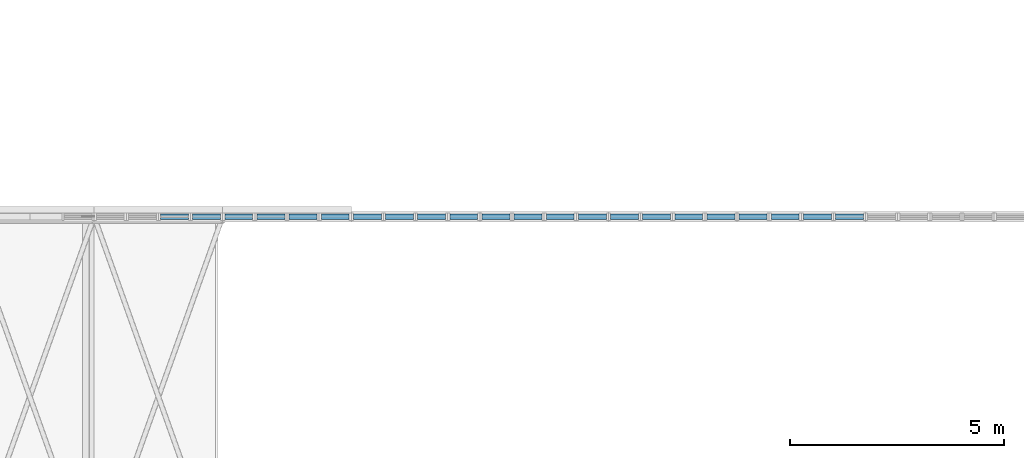
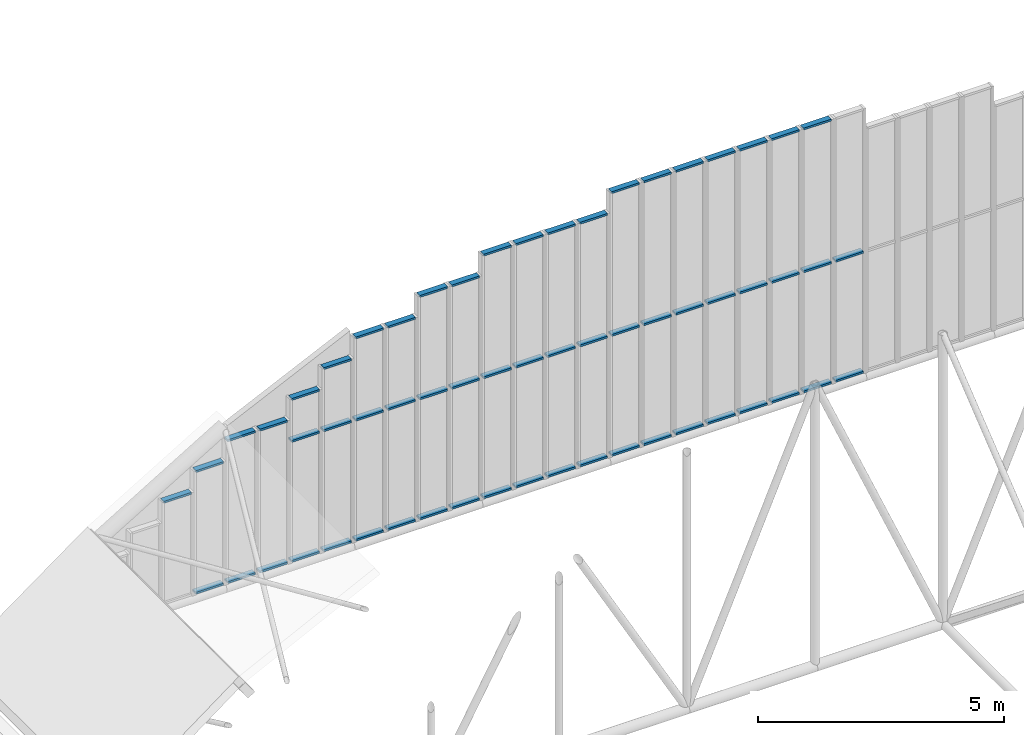
# One storey, part 90 of 153: 60 members, 22 elements without a shape of their own.
"""IFC4 building model written with IfcOpenShell, lengths in metres."""

from ifc_helpers import new_model, si_unit, direction, frame, origin, origin_2d, place, context, subcontext, project, spatial, rectangle, extrude, material, material_profile, profile_set, type_object, element, aggregate, save


model = new_model("IFC4")

# Units and contexts
model_context = context("Model", 3, precision=1e-05, world=origin(), true_north=direction((0.0, 1.0)))
body_context = subcontext(model_context, "Body", "Model", "MODEL_VIEW")
ifc_project = project(units=[si_unit("LENGTHUNIT", "METRE"), si_unit("AREAUNIT", "SQUARE_METRE"), si_unit("VOLUMEUNIT", "CUBIC_METRE"), si_unit("PLANEANGLEUNIT", "RADIAN"), si_unit("MASSUNIT", "GRAM", prefix="KILO")], contexts=[model_context])

# Site, building, storey
site_placement = place(None, origin())
site = spatial("IfcSite", under=ifc_project, at=site_placement, CompositionType="ELEMENT")
building_placement = place(site_placement, origin())
building = spatial("IfcBuilding", under=site, at=building_placement, Name="Baradari Gate Terminus", CompositionType="ELEMENT")
storey_placement = place(building_placement, frame((0.0, 0.0, 11.699951171875)))
storey = spatial("IfcBuildingStorey", under=building, at=storey_placement, Name="L02", CompositionType="ELEMENT", Elevation=11.699951171875)

# Curtain wall, member
ifc_material_1 = material(Name="Aluminium 6063-T6", Category="aluminium")
curtain_wall_type = type_object("IfcCurtainWallType", Name="Curtain wall CW-60 hall gable glazing", PredefinedType="NOTDEFINED", material=ifc_material_1)
curtain_wall_1_placement = place(storey_placement, origin())
curtain_wall_1 = element("IfcCurtainWall", 1, at=curtain_wall_1_placement, inside=storey, type_object=curtain_wall_type, Name="Hall gable glazing N7", PredefinedType="NOTDEFINED")
ifc_material_2 = material(Name="Aluminium 6063-T6", Category="aluminium")
ifc_material_profile = material_profile(ifc_material_2, rectangle(XDim=0.135009765625, YDim=0.050048828125, at=origin_2d()), Name="CT-60 50X135")
ifc_profile_set = profile_set([ifc_material_profile], Name="Aluminium 6063-T6")
member_type = type_object("IfcMemberType", Name="Curtain wall transom CT-60 50x135", PredefinedType="USERDEFINED", material=ifc_profile_set)
member_1_placement = place(storey_placement, frame((139.550048828125, 107.39990234375, 2.775146484375), z_axis=(1.0, 0.0, 0.0), x_axis=(0.0, 1.0, 0.0)))
member_1 = element("IfcMember", 2, at=member_1_placement, type_object=member_type, Name="CW-60 transom 1.2", ObjectType="TRANSOM", PredefinedType="USERDEFINED", context=body_context, shape_type="SweptSolid", body=[
    extrude(rectangle(XDim=0.135009765625, YDim=0.050048828125, at=origin_2d()), origin(), (0.0, 0.0, 1.0), 0.64990234375),
])
aggregate(curtain_wall_1, [member_1])

# Curtain wall, members
curtain_wall_2_placement = place(storey_placement, origin())
curtain_wall_2 = element("IfcCurtainWall", 3, at=curtain_wall_2_placement, inside=storey, type_object=curtain_wall_type, Name="Hall gable glazing N8", PredefinedType="NOTDEFINED")
member_2_placement = place(storey_placement, frame((140.300048828125, 107.39990234375, 0.259521484375), z_axis=(1.0, 0.0, 0.0), x_axis=(0.0, 1.0, 0.0)))
member_2 = element("IfcMember", 4, at=member_2_placement, type_object=member_type, Name="CW-60 transom 1.1", ObjectType="TRANSOM", PredefinedType="USERDEFINED", context=body_context, shape_type="SweptSolid", body=[
    extrude(rectangle(XDim=0.135009765625, YDim=0.050048828125, at=origin_2d()), origin(), (0.0, 0.0, 1.0), 0.64990234375),
])
member_3_placement = place(storey_placement, frame((140.300048828125, 107.39990234375, 3.275146484375), z_axis=(1.0, 0.0, 0.0), x_axis=(0.0, 1.0, 0.0)))
member_3 = element("IfcMember", 5, at=member_3_placement, type_object=member_type, Name="CW-60 transom 1.2", ObjectType="TRANSOM", PredefinedType="USERDEFINED", context=body_context, shape_type="SweptSolid", body=[
    extrude(rectangle(XDim=0.135009765625, YDim=0.050048828125, at=origin_2d()), origin(), (0.0, 0.0, 1.0), 0.64990234375),
])
aggregate(curtain_wall_2, [member_2, member_3])

curtain_wall_3_placement = place(storey_placement, origin())
curtain_wall_3 = element("IfcCurtainWall", 6, at=curtain_wall_3_placement, inside=storey, type_object=curtain_wall_type, Name="Hall gable glazing N9", PredefinedType="NOTDEFINED")
member_4_placement = place(storey_placement, frame((141.050048828125, 107.39990234375, 0.259521484375), z_axis=(1.0, 0.0, 0.0), x_axis=(0.0, 1.0, 0.0)))
member_4 = element("IfcMember", 7, at=member_4_placement, type_object=member_type, Name="CW-60 transom 1.1", ObjectType="TRANSOM", PredefinedType="USERDEFINED", context=body_context, shape_type="SweptSolid", body=[
    extrude(rectangle(XDim=0.135009765625, YDim=0.050048828125, at=origin_2d()), origin(), (0.0, 0.0, 1.0), 0.64990234375),
])
member_5_placement = place(storey_placement, frame((141.050048828125, 107.39990234375, 3.775146484375), z_axis=(1.0, 0.0, 0.0), x_axis=(0.0, 1.0, 0.0)))
member_5 = element("IfcMember", 8, at=member_5_placement, type_object=member_type, Name="CW-60 transom 1.2", ObjectType="TRANSOM", PredefinedType="USERDEFINED", context=body_context, shape_type="SweptSolid", body=[
    extrude(rectangle(XDim=0.135009765625, YDim=0.050048828125, at=origin_2d()), origin(), (0.0, 0.0, 1.0), 0.64990234375),
])
aggregate(curtain_wall_3, [member_4, member_5])

curtain_wall_4_placement = place(storey_placement, origin())
curtain_wall_4 = element("IfcCurtainWall", 9, at=curtain_wall_4_placement, inside=storey, type_object=curtain_wall_type, Name="Hall gable glazing N10", PredefinedType="NOTDEFINED")
member_6_placement = place(storey_placement, frame((141.800048828125, 107.39990234375, 0.259521484375), z_axis=(1.0, 0.0, 0.0), x_axis=(0.0, 1.0, 0.0)))
member_6 = element("IfcMember", 10, at=member_6_placement, type_object=member_type, Name="CW-60 transom 1.1", ObjectType="TRANSOM", PredefinedType="USERDEFINED", context=body_context, shape_type="SweptSolid", body=[
    extrude(rectangle(XDim=0.135009765625, YDim=0.050048828125, at=origin_2d()), origin(), (0.0, 0.0, 1.0), 0.64990234375),
])
member_7_placement = place(storey_placement, frame((141.800048828125, 107.39990234375, 3.775146484375), z_axis=(1.0, 0.0, 0.0), x_axis=(0.0, 1.0, 0.0)))
member_7 = element("IfcMember", 11, at=member_7_placement, type_object=member_type, Name="CW-60 transom 1.2", ObjectType="TRANSOM", PredefinedType="USERDEFINED", context=body_context, shape_type="SweptSolid", body=[
    extrude(rectangle(XDim=0.135009765625, YDim=0.050048828125, at=origin_2d()), origin(), (0.0, 0.0, 1.0), 0.64990234375),
])
aggregate(curtain_wall_4, [member_6, member_7])

curtain_wall_5_placement = place(storey_placement, origin())
curtain_wall_5 = element("IfcCurtainWall", 12, at=curtain_wall_5_placement, inside=storey, type_object=curtain_wall_type, Name="Hall gable glazing N11", PredefinedType="NOTDEFINED")
member_8_placement = place(storey_placement, frame((142.550048828125, 107.39990234375, 0.259521484375), z_axis=(1.0, 0.0, 0.0), x_axis=(0.0, 1.0, 0.0)))
member_8 = element("IfcMember", 13, at=member_8_placement, type_object=member_type, Name="CW-60 transom 1.1", ObjectType="TRANSOM", PredefinedType="USERDEFINED", context=body_context, shape_type="SweptSolid", body=[
    extrude(rectangle(XDim=0.135009765625, YDim=0.050048828125, at=origin_2d()), origin(), (0.0, 0.0, 1.0), 0.64990234375),
])
member_9_placement = place(storey_placement, frame((142.550048828125, 107.39990234375, 3.234619140625), z_axis=(1.0, 0.0, 0.0), x_axis=(0.0, 1.0, 0.0)))
member_9 = element("IfcMember", 14, at=member_9_placement, type_object=member_type, Name="CW-60 transom 1.2", ObjectType="TRANSOM", PredefinedType="USERDEFINED", context=body_context, shape_type="SweptSolid", body=[
    extrude(rectangle(XDim=0.135009765625, YDim=0.050048828125, at=origin_2d()), origin(), (0.0, 0.0, 1.0), 0.64990234375),
])
member_10_placement = place(storey_placement, frame((142.550048828125, 107.39990234375, 4.275146484375), z_axis=(1.0, 0.0, 0.0), x_axis=(0.0, 1.0, 0.0)))
member_10 = element("IfcMember", 15, at=member_10_placement, type_object=member_type, Name="CW-60 transom 1.3", ObjectType="TRANSOM", PredefinedType="USERDEFINED", context=body_context, shape_type="SweptSolid", body=[
    extrude(rectangle(XDim=0.135009765625, YDim=0.050048828125, at=origin_2d()), origin(), (0.0, 0.0, 1.0), 0.64990234375),
])
aggregate(curtain_wall_5, [member_8, member_9, member_10])

curtain_wall_6_placement = place(storey_placement, origin())
curtain_wall_6 = element("IfcCurtainWall", 16, at=curtain_wall_6_placement, inside=storey, type_object=curtain_wall_type, Name="Hall gable glazing N12", PredefinedType="NOTDEFINED")
member_11_placement = place(storey_placement, frame((143.300048828125, 107.39990234375, 0.259521484375), z_axis=(1.0, 0.0, 0.0), x_axis=(0.0, 1.0, 0.0)))
member_11 = element("IfcMember", 17, at=member_11_placement, type_object=member_type, Name="CW-60 transom 1.1", ObjectType="TRANSOM", PredefinedType="USERDEFINED", context=body_context, shape_type="SweptSolid", body=[
    extrude(rectangle(XDim=0.135009765625, YDim=0.050048828125, at=origin_2d()), origin(), (0.0, 0.0, 1.0), 0.64990234375),
])
member_12_placement = place(storey_placement, frame((143.300048828125, 107.39990234375, 3.234619140625), z_axis=(1.0, 0.0, 0.0), x_axis=(0.0, 1.0, 0.0)))
member_12 = element("IfcMember", 18, at=member_12_placement, type_object=member_type, Name="CW-60 transom 1.2", ObjectType="TRANSOM", PredefinedType="USERDEFINED", context=body_context, shape_type="SweptSolid", body=[
    extrude(rectangle(XDim=0.135009765625, YDim=0.050048828125, at=origin_2d()), origin(), (0.0, 0.0, 1.0), 0.64990234375),
])
member_13_placement = place(storey_placement, frame((143.300048828125, 107.39990234375, 4.775146484375), z_axis=(1.0, 0.0, 0.0), x_axis=(0.0, 1.0, 0.0)))
member_13 = element("IfcMember", 19, at=member_13_placement, type_object=member_type, Name="CW-60 transom 1.3", ObjectType="TRANSOM", PredefinedType="USERDEFINED", context=body_context, shape_type="SweptSolid", body=[
    extrude(rectangle(XDim=0.135009765625, YDim=0.050048828125, at=origin_2d()), origin(), (0.0, 0.0, 1.0), 0.64990234375),
])
aggregate(curtain_wall_6, [member_11, member_12, member_13])

curtain_wall_7_placement = place(storey_placement, origin())
curtain_wall_7 = element("IfcCurtainWall", 20, at=curtain_wall_7_placement, inside=storey, type_object=curtain_wall_type, Name="Hall gable glazing N13", PredefinedType="NOTDEFINED")
member_14_placement = place(storey_placement, frame((144.050048828125, 107.39990234375, 0.259521484375), z_axis=(1.0, 0.0, 0.0), x_axis=(0.0, 1.0, 0.0)))
member_14 = element("IfcMember", 21, at=member_14_placement, type_object=member_type, Name="CW-60 transom 1.1", ObjectType="TRANSOM", PredefinedType="USERDEFINED", context=body_context, shape_type="SweptSolid", body=[
    extrude(rectangle(XDim=0.135009765625, YDim=0.050048828125, at=origin_2d()), origin(), (0.0, 0.0, 1.0), 0.64990234375),
])
member_15_placement = place(storey_placement, frame((144.050048828125, 107.39990234375, 3.234619140625), z_axis=(1.0, 0.0, 0.0), x_axis=(0.0, 1.0, 0.0)))
member_15 = element("IfcMember", 22, at=member_15_placement, type_object=member_type, Name="CW-60 transom 1.2", ObjectType="TRANSOM", PredefinedType="USERDEFINED", context=body_context, shape_type="SweptSolid", body=[
    extrude(rectangle(XDim=0.135009765625, YDim=0.050048828125, at=origin_2d()), origin(), (0.0, 0.0, 1.0), 0.64990234375),
])
member_16_placement = place(storey_placement, frame((144.050048828125, 107.39990234375, 5.275146484375), z_axis=(1.0, 0.0, 0.0), x_axis=(0.0, 1.0, 0.0)))
member_16 = element("IfcMember", 23, at=member_16_placement, type_object=member_type, Name="CW-60 transom 1.3", ObjectType="TRANSOM", PredefinedType="USERDEFINED", context=body_context, shape_type="SweptSolid", body=[
    extrude(rectangle(XDim=0.135009765625, YDim=0.050048828125, at=origin_2d()), origin(), (0.0, 0.0, 1.0), 0.64990234375),
])
aggregate(curtain_wall_7, [member_14, member_15, member_16])

curtain_wall_8_placement = place(storey_placement, origin())
curtain_wall_8 = element("IfcCurtainWall", 24, at=curtain_wall_8_placement, inside=storey, type_object=curtain_wall_type, Name="Hall gable glazing N14", PredefinedType="NOTDEFINED")
member_17_placement = place(storey_placement, frame((144.800048828125, 107.39990234375, 0.259521484375), z_axis=(1.0, 0.0, 0.0), x_axis=(0.0, 1.0, 0.0)))
member_17 = element("IfcMember", 25, at=member_17_placement, type_object=member_type, Name="CW-60 transom 1.1", ObjectType="TRANSOM", PredefinedType="USERDEFINED", context=body_context, shape_type="SweptSolid", body=[
    extrude(rectangle(XDim=0.135009765625, YDim=0.050048828125, at=origin_2d()), origin(), (0.0, 0.0, 1.0), 0.64990234375),
])
member_18_placement = place(storey_placement, frame((144.800048828125, 107.39990234375, 3.234619140625), z_axis=(1.0, 0.0, 0.0), x_axis=(0.0, 1.0, 0.0)))
member_18 = element("IfcMember", 26, at=member_18_placement, type_object=member_type, Name="CW-60 transom 1.2", ObjectType="TRANSOM", PredefinedType="USERDEFINED", context=body_context, shape_type="SweptSolid", body=[
    extrude(rectangle(XDim=0.135009765625, YDim=0.050048828125, at=origin_2d()), origin(), (0.0, 0.0, 1.0), 0.64990234375),
])
member_19_placement = place(storey_placement, frame((144.800048828125, 107.39990234375, 5.275146484375), z_axis=(1.0, 0.0, 0.0), x_axis=(0.0, 1.0, 0.0)))
member_19 = element("IfcMember", 27, at=member_19_placement, type_object=member_type, Name="CW-60 transom 1.3", ObjectType="TRANSOM", PredefinedType="USERDEFINED", context=body_context, shape_type="SweptSolid", body=[
    extrude(rectangle(XDim=0.135009765625, YDim=0.050048828125, at=origin_2d()), origin(), (0.0, 0.0, 1.0), 0.64990234375),
])
aggregate(curtain_wall_8, [member_17, member_18, member_19])

curtain_wall_9_placement = place(storey_placement, origin())
curtain_wall_9 = element("IfcCurtainWall", 28, at=curtain_wall_9_placement, inside=storey, type_object=curtain_wall_type, Name="Hall gable glazing N15", PredefinedType="NOTDEFINED")
member_20_placement = place(storey_placement, frame((145.550048828125, 107.39990234375, 0.259521484375), z_axis=(1.0, 0.0, 0.0), x_axis=(0.0, 1.0, 0.0)))
member_20 = element("IfcMember", 29, at=member_20_placement, type_object=member_type, Name="CW-60 transom 1.1", ObjectType="TRANSOM", PredefinedType="USERDEFINED", context=body_context, shape_type="SweptSolid", body=[
    extrude(rectangle(XDim=0.135009765625, YDim=0.050048828125, at=origin_2d()), origin(), (0.0, 0.0, 1.0), 0.64990234375),
])
member_21_placement = place(storey_placement, frame((145.550048828125, 107.39990234375, 3.234619140625), z_axis=(1.0, 0.0, 0.0), x_axis=(0.0, 1.0, 0.0)))
member_21 = element("IfcMember", 30, at=member_21_placement, type_object=member_type, Name="CW-60 transom 1.2", ObjectType="TRANSOM", PredefinedType="USERDEFINED", context=body_context, shape_type="SweptSolid", body=[
    extrude(rectangle(XDim=0.135009765625, YDim=0.050048828125, at=origin_2d()), origin(), (0.0, 0.0, 1.0), 0.64990234375),
])
member_22_placement = place(storey_placement, frame((145.550048828125, 107.39990234375, 5.775146484375), z_axis=(1.0, 0.0, 0.0), x_axis=(0.0, 1.0, 0.0)))
member_22 = element("IfcMember", 31, at=member_22_placement, type_object=member_type, Name="CW-60 transom 1.3", ObjectType="TRANSOM", PredefinedType="USERDEFINED", context=body_context, shape_type="SweptSolid", body=[
    extrude(rectangle(XDim=0.135009765625, YDim=0.050048828125, at=origin_2d()), origin(), (0.0, 0.0, 1.0), 0.64990234375),
])
aggregate(curtain_wall_9, [member_20, member_21, member_22])

curtain_wall_10_placement = place(storey_placement, origin())
curtain_wall_10 = element("IfcCurtainWall", 32, at=curtain_wall_10_placement, inside=storey, type_object=curtain_wall_type, Name="Hall gable glazing N16", PredefinedType="NOTDEFINED")
member_23_placement = place(storey_placement, frame((146.300048828125, 107.39990234375, 0.259521484375), z_axis=(1.0, 0.0, 0.0), x_axis=(0.0, 1.0, 0.0)))
member_23 = element("IfcMember", 33, at=member_23_placement, type_object=member_type, Name="CW-60 transom 1.1", ObjectType="TRANSOM", PredefinedType="USERDEFINED", context=body_context, shape_type="SweptSolid", body=[
    extrude(rectangle(XDim=0.135009765625, YDim=0.050048828125, at=origin_2d()), origin(), (0.0, 0.0, 1.0), 0.64990234375),
])
member_24_placement = place(storey_placement, frame((146.300048828125, 107.39990234375, 3.234619140625), z_axis=(1.0, 0.0, 0.0), x_axis=(0.0, 1.0, 0.0)))
member_24 = element("IfcMember", 34, at=member_24_placement, type_object=member_type, Name="CW-60 transom 1.2", ObjectType="TRANSOM", PredefinedType="USERDEFINED", context=body_context, shape_type="SweptSolid", body=[
    extrude(rectangle(XDim=0.135009765625, YDim=0.050048828125, at=origin_2d()), origin(), (0.0, 0.0, 1.0), 0.64990234375),
])
member_25_placement = place(storey_placement, frame((146.300048828125, 107.39990234375, 5.775146484375), z_axis=(1.0, 0.0, 0.0), x_axis=(0.0, 1.0, 0.0)))
member_25 = element("IfcMember", 35, at=member_25_placement, type_object=member_type, Name="CW-60 transom 1.3", ObjectType="TRANSOM", PredefinedType="USERDEFINED", context=body_context, shape_type="SweptSolid", body=[
    extrude(rectangle(XDim=0.135009765625, YDim=0.050048828125, at=origin_2d()), origin(), (0.0, 0.0, 1.0), 0.64990234375),
])
aggregate(curtain_wall_10, [member_23, member_24, member_25])

curtain_wall_11_placement = place(storey_placement, origin())
curtain_wall_11 = element("IfcCurtainWall", 36, at=curtain_wall_11_placement, inside=storey, type_object=curtain_wall_type, Name="Hall gable glazing N17", PredefinedType="NOTDEFINED")
member_26_placement = place(storey_placement, frame((147.050048828125, 107.39990234375, 0.259521484375), z_axis=(1.0, 0.0, 0.0), x_axis=(0.0, 1.0, 0.0)))
member_26 = element("IfcMember", 37, at=member_26_placement, type_object=member_type, Name="CW-60 transom 1.1", ObjectType="TRANSOM", PredefinedType="USERDEFINED", context=body_context, shape_type="SweptSolid", body=[
    extrude(rectangle(XDim=0.135009765625, YDim=0.050048828125, at=origin_2d()), origin(), (0.0, 0.0, 1.0), 0.64990234375),
])
member_27_placement = place(storey_placement, frame((147.050048828125, 107.39990234375, 3.234619140625), z_axis=(1.0, 0.0, 0.0), x_axis=(0.0, 1.0, 0.0)))
member_27 = element("IfcMember", 38, at=member_27_placement, type_object=member_type, Name="CW-60 transom 1.2", ObjectType="TRANSOM", PredefinedType="USERDEFINED", context=body_context, shape_type="SweptSolid", body=[
    extrude(rectangle(XDim=0.135009765625, YDim=0.050048828125, at=origin_2d()), origin(), (0.0, 0.0, 1.0), 0.64990234375),
])
member_28_placement = place(storey_placement, frame((147.050048828125, 107.39990234375, 6.275146484375), z_axis=(1.0, 0.0, 0.0), x_axis=(0.0, 1.0, 0.0)))
member_28 = element("IfcMember", 39, at=member_28_placement, type_object=member_type, Name="CW-60 transom 1.3", ObjectType="TRANSOM", PredefinedType="USERDEFINED", context=body_context, shape_type="SweptSolid", body=[
    extrude(rectangle(XDim=0.135009765625, YDim=0.050048828125, at=origin_2d()), origin(), (0.0, 0.0, 1.0), 0.64990234375),
])
aggregate(curtain_wall_11, [member_26, member_27, member_28])

curtain_wall_12_placement = place(storey_placement, origin())
curtain_wall_12 = element("IfcCurtainWall", 40, at=curtain_wall_12_placement, inside=storey, type_object=curtain_wall_type, Name="Hall gable glazing N18", PredefinedType="NOTDEFINED")
member_29_placement = place(storey_placement, frame((147.800048828125, 107.39990234375, 0.259521484375), z_axis=(1.0, 0.0, 0.0), x_axis=(0.0, 1.0, 0.0)))
member_29 = element("IfcMember", 41, at=member_29_placement, type_object=member_type, Name="CW-60 transom 1.1", ObjectType="TRANSOM", PredefinedType="USERDEFINED", context=body_context, shape_type="SweptSolid", body=[
    extrude(rectangle(XDim=0.135009765625, YDim=0.050048828125, at=origin_2d()), origin(), (0.0, 0.0, 1.0), 0.64990234375),
])
member_30_placement = place(storey_placement, frame((147.800048828125, 107.39990234375, 3.234619140625), z_axis=(1.0, 0.0, 0.0), x_axis=(0.0, 1.0, 0.0)))
member_30 = element("IfcMember", 42, at=member_30_placement, type_object=member_type, Name="CW-60 transom 1.2", ObjectType="TRANSOM", PredefinedType="USERDEFINED", context=body_context, shape_type="SweptSolid", body=[
    extrude(rectangle(XDim=0.135009765625, YDim=0.050048828125, at=origin_2d()), origin(), (0.0, 0.0, 1.0), 0.64990234375),
])
member_31_placement = place(storey_placement, frame((147.800048828125, 107.39990234375, 6.275146484375), z_axis=(1.0, 0.0, 0.0), x_axis=(0.0, 1.0, 0.0)))
member_31 = element("IfcMember", 43, at=member_31_placement, type_object=member_type, Name="CW-60 transom 1.3", ObjectType="TRANSOM", PredefinedType="USERDEFINED", context=body_context, shape_type="SweptSolid", body=[
    extrude(rectangle(XDim=0.135009765625, YDim=0.050048828125, at=origin_2d()), origin(), (0.0, 0.0, 1.0), 0.64990234375),
])
aggregate(curtain_wall_12, [member_29, member_30, member_31])

curtain_wall_13_placement = place(storey_placement, origin())
curtain_wall_13 = element("IfcCurtainWall", 44, at=curtain_wall_13_placement, inside=storey, type_object=curtain_wall_type, Name="Hall gable glazing N19", PredefinedType="NOTDEFINED")
member_32_placement = place(storey_placement, frame((148.550048828125, 107.39990234375, 0.259521484375), z_axis=(1.0, 0.0, 0.0), x_axis=(0.0, 1.0, 0.0)))
member_32 = element("IfcMember", 45, at=member_32_placement, type_object=member_type, Name="CW-60 transom 1.1", ObjectType="TRANSOM", PredefinedType="USERDEFINED", context=body_context, shape_type="SweptSolid", body=[
    extrude(rectangle(XDim=0.135009765625, YDim=0.050048828125, at=origin_2d()), origin(), (0.0, 0.0, 1.0), 0.64990234375),
])
member_33_placement = place(storey_placement, frame((148.550048828125, 107.39990234375, 3.234619140625), z_axis=(1.0, 0.0, 0.0), x_axis=(0.0, 1.0, 0.0)))
member_33 = element("IfcMember", 46, at=member_33_placement, type_object=member_type, Name="CW-60 transom 1.2", ObjectType="TRANSOM", PredefinedType="USERDEFINED", context=body_context, shape_type="SweptSolid", body=[
    extrude(rectangle(XDim=0.135009765625, YDim=0.050048828125, at=origin_2d()), origin(), (0.0, 0.0, 1.0), 0.64990234375),
])
member_34_placement = place(storey_placement, frame((148.550048828125, 107.39990234375, 6.275146484375), z_axis=(1.0, 0.0, 0.0), x_axis=(0.0, 1.0, 0.0)))
member_34 = element("IfcMember", 47, at=member_34_placement, type_object=member_type, Name="CW-60 transom 1.3", ObjectType="TRANSOM", PredefinedType="USERDEFINED", context=body_context, shape_type="SweptSolid", body=[
    extrude(rectangle(XDim=0.135009765625, YDim=0.050048828125, at=origin_2d()), origin(), (0.0, 0.0, 1.0), 0.64990234375),
])
aggregate(curtain_wall_13, [member_32, member_33, member_34])

curtain_wall_14_placement = place(storey_placement, origin())
curtain_wall_14 = element("IfcCurtainWall", 48, at=curtain_wall_14_placement, inside=storey, type_object=curtain_wall_type, Name="Hall gable glazing N20", PredefinedType="NOTDEFINED")
member_35_placement = place(storey_placement, frame((149.300048828125, 107.39990234375, 0.259521484375), z_axis=(1.0, 0.0, 0.0), x_axis=(0.0, 1.0, 0.0)))
member_35 = element("IfcMember", 49, at=member_35_placement, type_object=member_type, Name="CW-60 transom 1.1", ObjectType="TRANSOM", PredefinedType="USERDEFINED", context=body_context, shape_type="SweptSolid", body=[
    extrude(rectangle(XDim=0.135009765625, YDim=0.050048828125, at=origin_2d()), origin(), (0.0, 0.0, 1.0), 0.64990234375),
])
member_36_placement = place(storey_placement, frame((149.300048828125, 107.39990234375, 3.234619140625), z_axis=(1.0, 0.0, 0.0), x_axis=(0.0, 1.0, 0.0)))
member_36 = element("IfcMember", 50, at=member_36_placement, type_object=member_type, Name="CW-60 transom 1.2", ObjectType="TRANSOM", PredefinedType="USERDEFINED", context=body_context, shape_type="SweptSolid", body=[
    extrude(rectangle(XDim=0.135009765625, YDim=0.050048828125, at=origin_2d()), origin(), (0.0, 0.0, 1.0), 0.64990234375),
])
member_37_placement = place(storey_placement, frame((149.300048828125, 107.39990234375, 6.275146484375), z_axis=(1.0, 0.0, 0.0), x_axis=(0.0, 1.0, 0.0)))
member_37 = element("IfcMember", 51, at=member_37_placement, type_object=member_type, Name="CW-60 transom 1.3", ObjectType="TRANSOM", PredefinedType="USERDEFINED", context=body_context, shape_type="SweptSolid", body=[
    extrude(rectangle(XDim=0.135009765625, YDim=0.050048828125, at=origin_2d()), origin(), (0.0, 0.0, 1.0), 0.64990234375),
])
aggregate(curtain_wall_14, [member_35, member_36, member_37])

curtain_wall_15_placement = place(storey_placement, origin())
curtain_wall_15 = element("IfcCurtainWall", 52, at=curtain_wall_15_placement, inside=storey, type_object=curtain_wall_type, Name="Hall gable glazing N21", PredefinedType="NOTDEFINED")
member_38_placement = place(storey_placement, frame((150.050048828125, 107.39990234375, 0.259521484375), z_axis=(1.0, 0.0, 0.0), x_axis=(0.0, 1.0, 0.0)))
member_38 = element("IfcMember", 53, at=member_38_placement, type_object=member_type, Name="CW-60 transom 1.1", ObjectType="TRANSOM", PredefinedType="USERDEFINED", context=body_context, shape_type="SweptSolid", body=[
    extrude(rectangle(XDim=0.135009765625, YDim=0.050048828125, at=origin_2d()), origin(), (0.0, 0.0, 1.0), 0.64990234375),
])
member_39_placement = place(storey_placement, frame((150.050048828125, 107.39990234375, 3.234619140625), z_axis=(1.0, 0.0, 0.0), x_axis=(0.0, 1.0, 0.0)))
member_39 = element("IfcMember", 54, at=member_39_placement, type_object=member_type, Name="CW-60 transom 1.2", ObjectType="TRANSOM", PredefinedType="USERDEFINED", context=body_context, shape_type="SweptSolid", body=[
    extrude(rectangle(XDim=0.135009765625, YDim=0.050048828125, at=origin_2d()), origin(), (0.0, 0.0, 1.0), 0.64990234375),
])
member_40_placement = place(storey_placement, frame((150.050048828125, 107.39990234375, 6.775146484375), z_axis=(1.0, 0.0, 0.0), x_axis=(0.0, 1.0, 0.0)))
member_40 = element("IfcMember", 55, at=member_40_placement, type_object=member_type, Name="CW-60 transom 1.3", ObjectType="TRANSOM", PredefinedType="USERDEFINED", context=body_context, shape_type="SweptSolid", body=[
    extrude(rectangle(XDim=0.135009765625, YDim=0.050048828125, at=origin_2d()), origin(), (0.0, 0.0, 1.0), 0.64990234375),
])
aggregate(curtain_wall_15, [member_38, member_39, member_40])

curtain_wall_16_placement = place(storey_placement, origin())
curtain_wall_16 = element("IfcCurtainWall", 56, at=curtain_wall_16_placement, inside=storey, type_object=curtain_wall_type, Name="Hall gable glazing N22", PredefinedType="NOTDEFINED")
member_41_placement = place(storey_placement, frame((150.800048828125, 107.39990234375, 0.259521484375), z_axis=(1.0, 0.0, 0.0), x_axis=(0.0, 1.0, 0.0)))
member_41 = element("IfcMember", 57, at=member_41_placement, type_object=member_type, Name="CW-60 transom 1.1", ObjectType="TRANSOM", PredefinedType="USERDEFINED", context=body_context, shape_type="SweptSolid", body=[
    extrude(rectangle(XDim=0.135009765625, YDim=0.050048828125, at=origin_2d()), origin(), (0.0, 0.0, 1.0), 0.64990234375),
])
member_42_placement = place(storey_placement, frame((150.800048828125, 107.39990234375, 3.234619140625), z_axis=(1.0, 0.0, 0.0), x_axis=(0.0, 1.0, 0.0)))
member_42 = element("IfcMember", 58, at=member_42_placement, type_object=member_type, Name="CW-60 transom 1.2", ObjectType="TRANSOM", PredefinedType="USERDEFINED", context=body_context, shape_type="SweptSolid", body=[
    extrude(rectangle(XDim=0.135009765625, YDim=0.050048828125, at=origin_2d()), origin(), (0.0, 0.0, 1.0), 0.64990234375),
])
member_43_placement = place(storey_placement, frame((150.800048828125, 107.39990234375, 6.775146484375), z_axis=(1.0, 0.0, 0.0), x_axis=(0.0, 1.0, 0.0)))
member_43 = element("IfcMember", 59, at=member_43_placement, type_object=member_type, Name="CW-60 transom 1.3", ObjectType="TRANSOM", PredefinedType="USERDEFINED", context=body_context, shape_type="SweptSolid", body=[
    extrude(rectangle(XDim=0.135009765625, YDim=0.050048828125, at=origin_2d()), origin(), (0.0, 0.0, 1.0), 0.64990234375),
])
aggregate(curtain_wall_16, [member_41, member_42, member_43])

curtain_wall_17_placement = place(storey_placement, origin())
curtain_wall_17 = element("IfcCurtainWall", 60, at=curtain_wall_17_placement, inside=storey, type_object=curtain_wall_type, Name="Hall gable glazing N23", PredefinedType="NOTDEFINED")
member_44_placement = place(storey_placement, frame((151.550048828125, 107.39990234375, 0.259521484375), z_axis=(1.0, 0.0, 0.0), x_axis=(0.0, 1.0, 0.0)))
member_44 = element("IfcMember", 61, at=member_44_placement, type_object=member_type, Name="CW-60 transom 1.1", ObjectType="TRANSOM", PredefinedType="USERDEFINED", context=body_context, shape_type="SweptSolid", body=[
    extrude(rectangle(XDim=0.135009765625, YDim=0.050048828125, at=origin_2d()), origin(), (0.0, 0.0, 1.0), 0.64990234375),
])
member_45_placement = place(storey_placement, frame((151.550048828125, 107.39990234375, 3.234619140625), z_axis=(1.0, 0.0, 0.0), x_axis=(0.0, 1.0, 0.0)))
member_45 = element("IfcMember", 62, at=member_45_placement, type_object=member_type, Name="CW-60 transom 1.2", ObjectType="TRANSOM", PredefinedType="USERDEFINED", context=body_context, shape_type="SweptSolid", body=[
    extrude(rectangle(XDim=0.135009765625, YDim=0.050048828125, at=origin_2d()), origin(), (0.0, 0.0, 1.0), 0.64990234375),
])
member_46_placement = place(storey_placement, frame((151.550048828125, 107.39990234375, 6.775146484375), z_axis=(1.0, 0.0, 0.0), x_axis=(0.0, 1.0, 0.0)))
member_46 = element("IfcMember", 63, at=member_46_placement, type_object=member_type, Name="CW-60 transom 1.3", ObjectType="TRANSOM", PredefinedType="USERDEFINED", context=body_context, shape_type="SweptSolid", body=[
    extrude(rectangle(XDim=0.135009765625, YDim=0.050048828125, at=origin_2d()), origin(), (0.0, 0.0, 1.0), 0.64990234375),
])
aggregate(curtain_wall_17, [member_44, member_45, member_46])

curtain_wall_18_placement = place(storey_placement, origin())
curtain_wall_18 = element("IfcCurtainWall", 64, at=curtain_wall_18_placement, inside=storey, type_object=curtain_wall_type, Name="Hall gable glazing N24", PredefinedType="NOTDEFINED")
member_47_placement = place(storey_placement, frame((152.300048828125, 107.39990234375, 0.259521484375), z_axis=(1.0, 0.0, 0.0), x_axis=(0.0, 1.0, 0.0)))
member_47 = element("IfcMember", 65, at=member_47_placement, type_object=member_type, Name="CW-60 transom 1.1", ObjectType="TRANSOM", PredefinedType="USERDEFINED", context=body_context, shape_type="SweptSolid", body=[
    extrude(rectangle(XDim=0.135009765625, YDim=0.050048828125, at=origin_2d()), origin(), (0.0, 0.0, 1.0), 0.64990234375),
])
member_48_placement = place(storey_placement, frame((152.300048828125, 107.39990234375, 3.234619140625), z_axis=(1.0, 0.0, 0.0), x_axis=(0.0, 1.0, 0.0)))
member_48 = element("IfcMember", 66, at=member_48_placement, type_object=member_type, Name="CW-60 transom 1.2", ObjectType="TRANSOM", PredefinedType="USERDEFINED", context=body_context, shape_type="SweptSolid", body=[
    extrude(rectangle(XDim=0.135009765625, YDim=0.050048828125, at=origin_2d()), origin(), (0.0, 0.0, 1.0), 0.64990234375),
])
member_49_placement = place(storey_placement, frame((152.300048828125, 107.39990234375, 6.775146484375), z_axis=(1.0, 0.0, 0.0), x_axis=(0.0, 1.0, 0.0)))
member_49 = element("IfcMember", 67, at=member_49_placement, type_object=member_type, Name="CW-60 transom 1.3", ObjectType="TRANSOM", PredefinedType="USERDEFINED", context=body_context, shape_type="SweptSolid", body=[
    extrude(rectangle(XDim=0.135009765625, YDim=0.050048828125, at=origin_2d()), origin(), (0.0, 0.0, 1.0), 0.64990234375),
])
aggregate(curtain_wall_18, [member_47, member_48, member_49])

curtain_wall_19_placement = place(storey_placement, origin())
curtain_wall_19 = element("IfcCurtainWall", 68, at=curtain_wall_19_placement, inside=storey, type_object=curtain_wall_type, Name="Hall gable glazing N25", PredefinedType="NOTDEFINED")
member_50_placement = place(storey_placement, frame((153.050048828125, 107.39990234375, 0.259521484375), z_axis=(1.0, 0.0, 0.0), x_axis=(0.0, 1.0, 0.0)))
member_50 = element("IfcMember", 69, at=member_50_placement, type_object=member_type, Name="CW-60 transom 1.1", ObjectType="TRANSOM", PredefinedType="USERDEFINED", context=body_context, shape_type="SweptSolid", body=[
    extrude(rectangle(XDim=0.135009765625, YDim=0.050048828125, at=origin_2d()), origin(), (0.0, 0.0, 1.0), 0.64990234375),
])
member_51_placement = place(storey_placement, frame((153.050048828125, 107.39990234375, 3.234619140625), z_axis=(1.0, 0.0, 0.0), x_axis=(0.0, 1.0, 0.0)))
member_51 = element("IfcMember", 70, at=member_51_placement, type_object=member_type, Name="CW-60 transom 1.2", ObjectType="TRANSOM", PredefinedType="USERDEFINED", context=body_context, shape_type="SweptSolid", body=[
    extrude(rectangle(XDim=0.135009765625, YDim=0.050048828125, at=origin_2d()), origin(), (0.0, 0.0, 1.0), 0.64990234375),
])
member_52_placement = place(storey_placement, frame((153.050048828125, 107.39990234375, 6.775146484375), z_axis=(1.0, 0.0, 0.0), x_axis=(0.0, 1.0, 0.0)))
member_52 = element("IfcMember", 71, at=member_52_placement, type_object=member_type, Name="CW-60 transom 1.3", ObjectType="TRANSOM", PredefinedType="USERDEFINED", context=body_context, shape_type="SweptSolid", body=[
    extrude(rectangle(XDim=0.135009765625, YDim=0.050048828125, at=origin_2d()), origin(), (0.0, 0.0, 1.0), 0.64990234375),
])
aggregate(curtain_wall_19, [member_50, member_51, member_52])

curtain_wall_20_placement = place(storey_placement, origin())
curtain_wall_20 = element("IfcCurtainWall", 72, at=curtain_wall_20_placement, inside=storey, type_object=curtain_wall_type, Name="Hall gable glazing N26", PredefinedType="NOTDEFINED")
member_53_placement = place(storey_placement, frame((153.800048828125, 107.39990234375, 0.259521484375), z_axis=(1.0, 0.0, 0.0), x_axis=(0.0, 1.0, 0.0)))
member_53 = element("IfcMember", 73, at=member_53_placement, type_object=member_type, Name="CW-60 transom 1.1", ObjectType="TRANSOM", PredefinedType="USERDEFINED", context=body_context, shape_type="SweptSolid", body=[
    extrude(rectangle(XDim=0.135009765625, YDim=0.050048828125, at=origin_2d()), origin(), (0.0, 0.0, 1.0), 0.64990234375),
])
member_54_placement = place(storey_placement, frame((153.800048828125, 107.39990234375, 3.234619140625), z_axis=(1.0, 0.0, 0.0), x_axis=(0.0, 1.0, 0.0)))
member_54 = element("IfcMember", 74, at=member_54_placement, type_object=member_type, Name="CW-60 transom 1.2", ObjectType="TRANSOM", PredefinedType="USERDEFINED", context=body_context, shape_type="SweptSolid", body=[
    extrude(rectangle(XDim=0.135009765625, YDim=0.050048828125, at=origin_2d()), origin(), (0.0, 0.0, 1.0), 0.64990234375),
])
member_55_placement = place(storey_placement, frame((153.800048828125, 107.39990234375, 6.775146484375), z_axis=(1.0, 0.0, 0.0), x_axis=(0.0, 1.0, 0.0)))
member_55 = element("IfcMember", 75, at=member_55_placement, type_object=member_type, Name="CW-60 transom 1.3", ObjectType="TRANSOM", PredefinedType="USERDEFINED", context=body_context, shape_type="SweptSolid", body=[
    extrude(rectangle(XDim=0.135009765625, YDim=0.050048828125, at=origin_2d()), origin(), (0.0, 0.0, 1.0), 0.64990234375),
])
aggregate(curtain_wall_20, [member_53, member_54, member_55])

curtain_wall_21_placement = place(storey_placement, origin())
curtain_wall_21 = element("IfcCurtainWall", 76, at=curtain_wall_21_placement, inside=storey, type_object=curtain_wall_type, Name="Hall gable glazing N27", PredefinedType="NOTDEFINED")
member_56_placement = place(storey_placement, frame((154.550048828125, 107.39990234375, 0.259521484375), z_axis=(1.0, 0.0, 0.0), x_axis=(0.0, 1.0, 0.0)))
member_56 = element("IfcMember", 77, at=member_56_placement, type_object=member_type, Name="CW-60 transom 1.1", ObjectType="TRANSOM", PredefinedType="USERDEFINED", context=body_context, shape_type="SweptSolid", body=[
    extrude(rectangle(XDim=0.135009765625, YDim=0.050048828125, at=origin_2d()), origin(), (0.0, 0.0, 1.0), 0.64990234375),
])
member_57_placement = place(storey_placement, frame((154.550048828125, 107.39990234375, 3.234619140625), z_axis=(1.0, 0.0, 0.0), x_axis=(0.0, 1.0, 0.0)))
member_57 = element("IfcMember", 78, at=member_57_placement, type_object=member_type, Name="CW-60 transom 1.2", ObjectType="TRANSOM", PredefinedType="USERDEFINED", context=body_context, shape_type="SweptSolid", body=[
    extrude(rectangle(XDim=0.135009765625, YDim=0.050048828125, at=origin_2d()), origin(), (0.0, 0.0, 1.0), 0.64990234375),
])
member_58_placement = place(storey_placement, frame((154.550048828125, 107.39990234375, 6.775146484375), z_axis=(1.0, 0.0, 0.0), x_axis=(0.0, 1.0, 0.0)))
member_58 = element("IfcMember", 79, at=member_58_placement, type_object=member_type, Name="CW-60 transom 1.3", ObjectType="TRANSOM", PredefinedType="USERDEFINED", context=body_context, shape_type="SweptSolid", body=[
    extrude(rectangle(XDim=0.135009765625, YDim=0.050048828125, at=origin_2d()), origin(), (0.0, 0.0, 1.0), 0.64990234375),
])
aggregate(curtain_wall_21, [member_56, member_57, member_58])

curtain_wall_22_placement = place(storey_placement, origin())
curtain_wall_22 = element("IfcCurtainWall", 80, at=curtain_wall_22_placement, inside=storey, type_object=curtain_wall_type, Name="Hall gable glazing N28", PredefinedType="NOTDEFINED")
member_59_placement = place(storey_placement, frame((155.300048828125, 107.39990234375, 0.259521484375), z_axis=(1.0, 0.0, 0.0), x_axis=(0.0, 1.0, 0.0)))
member_59 = element("IfcMember", 81, at=member_59_placement, type_object=member_type, Name="CW-60 transom 1.1", ObjectType="TRANSOM", PredefinedType="USERDEFINED", context=body_context, shape_type="SweptSolid", body=[
    extrude(rectangle(XDim=0.135009765625, YDim=0.050048828125, at=origin_2d()), origin(), (0.0, 0.0, 1.0), 0.64990234375),
])
member_60_placement = place(storey_placement, frame((155.300048828125, 107.39990234375, 3.234619140625), z_axis=(1.0, 0.0, 0.0), x_axis=(0.0, 1.0, 0.0)))
member_60 = element("IfcMember", 82, at=member_60_placement, type_object=member_type, Name="CW-60 transom 1.2", ObjectType="TRANSOM", PredefinedType="USERDEFINED", context=body_context, shape_type="SweptSolid", body=[
    extrude(rectangle(XDim=0.135009765625, YDim=0.050048828125, at=origin_2d()), origin(), (0.0, 0.0, 1.0), 0.64990234375),
])
aggregate(curtain_wall_22, [member_59, member_60])

save(model, "model.ifc")
